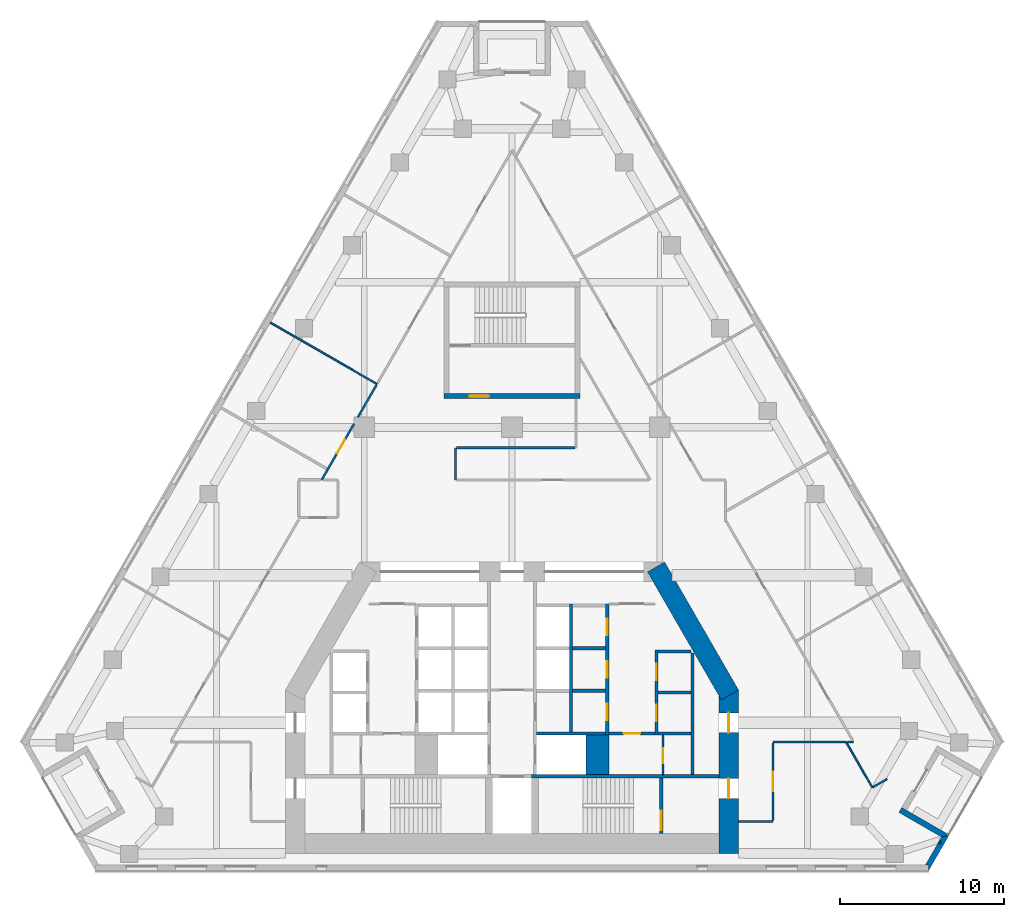
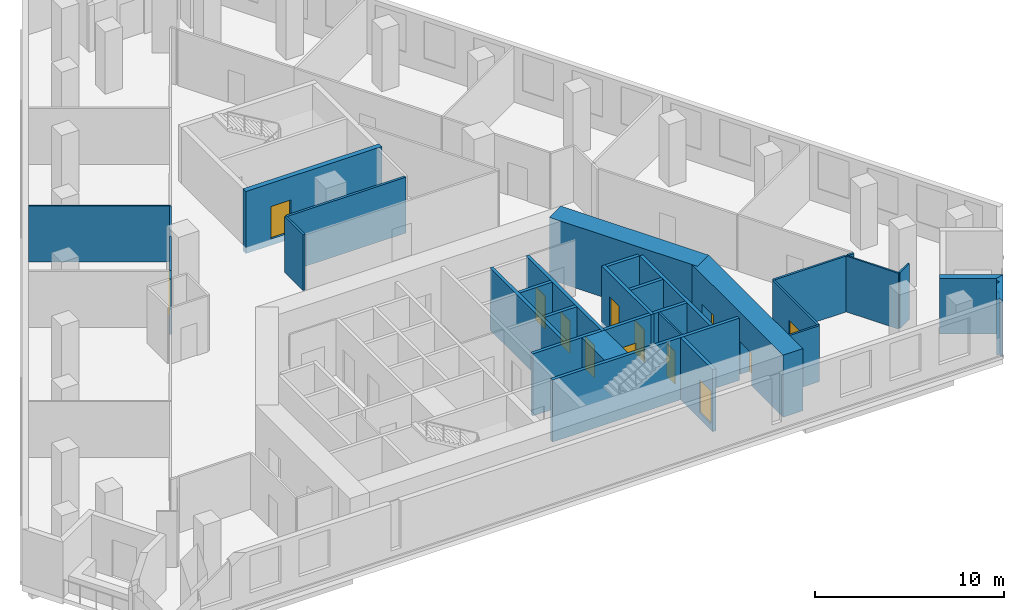
# One storey, part 6 of 10: 33 walls, 13 doors, 13 openings.
"""IFC4 building model written with IfcOpenShell, lengths in metres."""

from ifc_helpers import new_model, si_unit, direction, frame, frame_2d, origin, place, context, subcontext, project, spatial, polyline, rectangle, outline, extrude, material, layer, layer_set, type_object, element, fill, save


model = new_model("IFC4")

# Units and contexts
model_context = context("Model", 3, precision=1e-05, world=origin(), true_north=direction((0.0, 1.0)))
body_context = subcontext(model_context, "Body", "Model", "MODEL_VIEW")
ifc_project = project(units=[si_unit("LENGTHUNIT", "METRE"), si_unit("AREAUNIT", "SQUARE_METRE"), si_unit("VOLUMEUNIT", "CUBIC_METRE"), si_unit("PLANEANGLEUNIT", "RADIAN"), si_unit("MASSUNIT", "GRAM", prefix="KILO")], contexts=[model_context])

# Site, building, storey
site_placement = place(None, origin())
site = spatial("IfcSite", under=ifc_project, at=site_placement, CompositionType="ELEMENT")
building_placement = place(site_placement, origin())
building = spatial("IfcBuilding", under=site, at=building_placement, Name="Fogline Exchange Tower", CompositionType="ELEMENT")
storey_placement = place(building_placement, frame((0.0, 0.0, 120.10009765625)))
storey = spatial("IfcBuildingStorey", under=building, at=storey_placement, Name="L26", CompositionType="ELEMENT", Elevation=120.10009765625)

# Wall, opening, door
ifc_material_1 = material(Name="Blockwork partition", Category="masonry")
ifc_layer_1 = layer(ifc_material_1, 0.10009765625)
ifc_layer_set_1 = layer_set([ifc_layer_1], Name="CW10")
wall_type_1 = type_object("IfcWallType", Name="CW10", PredefinedType="PARTITIONING", material=ifc_layer_set_1)
wall_1_placement = place(storey_placement, frame((9.199951171875, 5.85009765625, 0.0), z_axis=(0.0, 0.0, 1.0), x_axis=(0.0, 1.0, 0.0)))
wall_1 = element("IfcWall", 1, at=wall_1_placement, inside=storey, type_object=wall_type_1, Name="WC partition", PredefinedType="PARTITIONING", context=body_context, shape_type="SweptSolid", body=[
    extrude(rectangle(XDim=2.39990234375, YDim=0.10009765625, at=frame_2d((1.199951171875, 0.0))), origin(), (0.0, 0.0, 1.0), 3.599853515625),
])
opening_1_placement = place(wall_1_placement, frame((0.699951171875, 0.0, 0.0)))
opening_1 = element("IfcOpeningElement", 2, at=opening_1_placement, cuts=wall_1, Name="Opening T08-C015", PredefinedType="OPENING", context=body_context, shape_type="SweptSolid", body=[
    extrude(rectangle(XDim=0.89990234375, YDim=2.10009765625, at=frame_2d((0.449951171875, 1.050048828125))), frame((0.0, 0.06005859375, 0.0), z_axis=(0.0, -1.0, 0.0), x_axis=(1.0, 0.0, 0.0)), (0.0, 0.0, 1.0), 0.1201171875),
])
ifc_material_2 = material(Name="Steel and timber fire door", Category="steel")
door_type_1 = type_object("IfcDoorType", Name="D-CS1", OperationType="SINGLE_SWING_RIGHT", PredefinedType="DOOR", material=ifc_material_2)
door_1_placement = place(opening_1_placement, frame((0.89990234375, 0.0, 0.0), z_axis=(0.0, 0.0, 1.0), x_axis=(-1.0, 0.0, 0.0)))
door_1 = element("IfcDoor", 3, at=door_1_placement, inside=storey, type_object=door_type_1, Name="Door to Cleaner's Store", OperationType="SINGLE_SWING_RIGHT", OverallHeight=2.10009765625, OverallWidth=0.89990234375, PredefinedType="DOOR", context=body_context, shape_type="SweptSolid", body=[
    extrude(rectangle(XDim=0.89990234375, YDim=2.10009765625, at=frame_2d((0.449951171875, 1.050048828125))), frame((0.0, 0.02490234375, 0.0), z_axis=(0.0, -1.0, 0.0), x_axis=(1.0, 0.0, 0.0)), (0.0, 0.0, 1.0), 0.050048828125),
])
fill(opening_1, door_1)

# Walls
ifc_material_3 = material(Name="Concrete C60", Category="concrete")
ifc_layer_2 = layer(ifc_material_3, 1.39990234375)
ifc_layer_set_2 = layer_set([ifc_layer_2], Name="CW140")
wall_type_2 = type_object("IfcWallType", Name="CW140", PredefinedType="SOLIDWALL", material=ifc_layer_set_2)
wall_2_placement = place(storey_placement, frame((5.199951171875, 5.85009765625, -0.400146484375), z_axis=(0.0, 0.0, 1.0), x_axis=(0.0, 1.0, 0.0)))
element("IfcWall", 4, at=wall_2_placement, inside=storey, type_object=wall_type_2, Name="Lift shaft block wall", PredefinedType="SOLIDWALL", context=body_context, shape_type="SweptSolid", body=[
    extrude(rectangle(XDim=2.39990234375, YDim=1.39990234375, at=frame_2d((1.199951171875, 0.0))), origin(), (0.0, 0.0, 1.0), 4.0),
])
ifc_material_4 = material(Name="Concrete C40", Category="concrete")
ifc_layer_3 = layer(ifc_material_4, 0.199951171875)
ifc_layer_set_3 = layer_set([ifc_layer_3], Name="CW20")
wall_type_3 = type_object("IfcWallType", Name="CW20", PredefinedType="SOLIDWALL", material=ifc_layer_set_3)
wall_3_placement = place(storey_placement, frame((11.0, 5.85009765625, 0.0), z_axis=(0.0, 0.0, 1.0), x_axis=(0.0, 1.0, 0.0)))
element("IfcWall", 5, at=wall_3_placement, inside=storey, type_object=wall_type_3, Name="Service room wall", PredefinedType="SOLIDWALL", context=body_context, shape_type="SweptSolid", body=[
    extrude(rectangle(XDim=7.39990234375, YDim=0.199951171875, at=frame_2d((3.699951171875, 0.0))), origin(), (0.0, 0.0, 1.0), 3.599853515625),
])

# Wall, opening, door
wall_4_placement = place(storey_placement, frame((5.89990234375, 8.35009765625, 0.0), z_axis=(0.0, 0.0, 1.0), x_axis=(1.0, 0.0, 0.0)))
wall_4 = element("IfcWall", 6, at=wall_4_placement, inside=storey, type_object=wall_type_3, Name="WC wall", PredefinedType="SOLIDWALL", context=body_context, shape_type="SweptSolid", body=[
    extrude(rectangle(XDim=2.800048828125, YDim=0.199951171875, at=frame_2d((1.39990234375, 0.0))), origin(), (0.0, 0.0, 1.0), 3.599853515625),
])
opening_2_placement = place(wall_4_placement, frame((0.89990234375, 0.0, 0.0)))
opening_2 = element("IfcOpeningElement", 7, at=opening_2_placement, cuts=wall_4, Name="Opening T08-C014", PredefinedType="OPENING", context=body_context, shape_type="SweptSolid", body=[
    extrude(rectangle(XDim=1.0, YDim=2.10009765625, at=frame_2d((0.5, 1.050048828125))), frame((0.0, 0.10986328125, 0.0), z_axis=(0.0, -1.0, 0.0), x_axis=(1.0, 0.0, 0.0)), (0.0, 0.0, 1.0), 0.219970703125),
])
door_type_2 = type_object("IfcDoorType", Name="D-WC1", OperationType="SINGLE_SWING_LEFT", PredefinedType="DOOR", material=ifc_material_2)
door_2_placement = place(opening_2_placement, frame((1.0, 0.0, 0.0), z_axis=(0.0, 0.0, 1.0), x_axis=(-1.0, 0.0, 0.0)))
door_2 = element("IfcDoor", 8, at=door_2_placement, inside=storey, type_object=door_type_2, Name="Door to Women's WC", OperationType="SINGLE_SWING_LEFT", OverallHeight=2.10009765625, OverallWidth=1.0, PredefinedType="DOOR", context=body_context, shape_type="SweptSolid", body=[
    extrude(rectangle(XDim=1.0, YDim=2.10009765625, at=frame_2d((0.5, 1.050048828125))), frame((0.0, 0.02490234375, 0.0), z_axis=(0.0, -1.0, 0.0), x_axis=(1.0, 0.0, 0.0)), (0.0, 0.0, 1.0), 0.050048828125),
])
fill(opening_2, door_2)

# Wall
ifc_layer_4 = layer(ifc_material_4, 0.199951171875)
ifc_layer_set_4 = layer_set([ifc_layer_4], Name="CW20R")
wall_type_4 = type_object("IfcWallType", Name="CW20R", PredefinedType="SOLIDWALL", material=ifc_layer_set_4)
wall_5_placement = place(storey_placement, frame((1.199951171875, 5.75, -0.400146484375), z_axis=(0.0, 0.0, 1.0), x_axis=(1.0, 0.0, 0.0)))
element("IfcWall", 9, at=wall_5_placement, inside=storey, type_object=wall_type_4, Name="Stair enclosure wall", PredefinedType="SOLIDWALL", context=body_context, shape_type="SweptSolid", body=[
    extrude(rectangle(XDim=11.400146484375, YDim=0.199951171875, at=frame_2d((5.7001953125, 0.0))), origin(), (0.0, 0.0, 1.0), 4.0),
])

# Wall, opening, door
wall_6_placement = place(storey_placement, frame((9.10009765625, 2.25, -0.400146484375), z_axis=(0.0, 0.0, 1.0), x_axis=(0.0, 1.0, 0.0)))
wall_6 = element("IfcWall", 10, at=wall_6_placement, inside=storey, type_object=wall_type_4, Name="Stair enclosure wall", PredefinedType="SOLIDWALL", context=body_context, shape_type="SweptSolid", body=[
    extrude(rectangle(XDim=3.39990234375, YDim=0.199951171875, at=frame_2d((1.699951171875, 0.0))), origin(), (0.0, 0.0, 1.0), 4.0),
])
opening_3_placement = place(wall_6_placement, frame((0.199951171875, 0.0, 0.39990234375)))
opening_3 = element("IfcOpeningElement", 11, at=opening_3_placement, cuts=wall_6, Name="Opening T08-C017", PredefinedType="OPENING", context=body_context, shape_type="SweptSolid", body=[
    extrude(rectangle(XDim=1.199951171875, YDim=2.10009765625, at=frame_2d((0.60009765625, 1.050048828125))), frame((0.0, 0.10986328125, 0.0), z_axis=(0.0, -1.0, 0.0), x_axis=(1.0, 0.0, 0.0)), (0.0, 0.0, 1.0), 0.219970703125),
])
door_type_3 = type_object("IfcDoorType", Name="D-ST1", OperationType="SINGLE_SWING_LEFT", PredefinedType="DOOR", material=ifc_material_2)
door_3_placement = place(opening_3_placement, origin())
door_3 = element("IfcDoor", 12, at=door_3_placement, inside=storey, type_object=door_type_3, Name="Stair door ST2", OperationType="SINGLE_SWING_LEFT", OverallHeight=2.10009765625, OverallWidth=1.199951171875, PredefinedType="DOOR", context=body_context, shape_type="SweptSolid", body=[
    extrude(rectangle(XDim=1.199951171875, YDim=2.10009765625, at=frame_2d((0.60009765625, 1.050048828125))), frame((0.0, 0.02490234375, 0.0), z_axis=(0.0, -1.0, 0.0), x_axis=(1.0, 0.0, 0.0)), (0.0, 0.0, 1.0), 0.050048828125),
])
fill(opening_3, door_3)

# Wall, openings, doors
ifc_layer_5 = layer(ifc_material_4, 0.199951171875)
ifc_layer_set_5 = layer_set([ifc_layer_5], Name="CW20S")
wall_type_5 = type_object("IfcWallType", Name="CW20S", PredefinedType="SOLIDWALL", material=ifc_layer_set_5)
wall_7_placement = place(storey_placement, frame((8.800048828125, 8.25, -0.400146484375), z_axis=(0.0, 0.0, 1.0), x_axis=(0.0, 1.0, 0.0)))
wall_7 = element("IfcWall", 13, at=wall_7_placement, inside=storey, type_object=wall_type_5, Name="Lift shaft wall", PredefinedType="SOLIDWALL", context=body_context, shape_type="SweptSolid", body=[
    extrude(rectangle(XDim=5.199951171875, YDim=0.199951171875, at=frame_2d((2.60009765625, 0.0))), origin(), (0.0, 0.0, 1.0), 4.0),
])
opening_4_placement = place(wall_7_placement, frame((0.85009765625, 0.0, 0.39990234375)))
opening_4 = element("IfcOpeningElement", 14, at=opening_4_placement, cuts=wall_7, Name="Opening T08-C001", PredefinedType="OPENING", context=body_context, shape_type="SweptSolid", body=[
    extrude(rectangle(XDim=1.0, YDim=2.10009765625, at=frame_2d((0.5, 1.050048828125))), frame((0.0, 0.10986328125, 0.0), z_axis=(0.0, -1.0, 0.0), x_axis=(1.0, 0.0, 0.0)), (0.0, 0.0, 1.0), 0.219970703125),
])
opening_5_placement = place(wall_7_placement, frame((3.35009765625, 0.0, 0.39990234375)))
opening_5 = element("IfcOpeningElement", 15, at=opening_5_placement, cuts=wall_7, Name="Opening T08-C002", PredefinedType="OPENING", context=body_context, shape_type="SweptSolid", body=[
    extrude(rectangle(XDim=1.0, YDim=2.10009765625, at=frame_2d((0.5, 1.050048828125))), frame((0.0, 0.10986328125, 0.0), z_axis=(0.0, -1.0, 0.0), x_axis=(1.0, 0.0, 0.0)), (0.0, 0.0, 1.0), 0.219970703125),
])
door_type_4 = type_object("IfcDoorType", Name="D-RM1", OperationType="SINGLE_SWING_LEFT", PredefinedType="DOOR", material=ifc_material_2)
door_4_placement = place(opening_4_placement, frame((1.0, 0.0, 0.0), z_axis=(0.0, 0.0, 1.0), x_axis=(-1.0, 0.0, 0.0)))
door_4 = element("IfcDoor", 16, at=door_4_placement, inside=storey, type_object=door_type_4, Name="Door to Records Store", OperationType="SINGLE_SWING_LEFT", OverallHeight=2.10009765625, OverallWidth=1.0, PredefinedType="DOOR", context=body_context, shape_type="SweptSolid", body=[
    extrude(rectangle(XDim=1.0, YDim=2.10009765625, at=frame_2d((0.5, 1.050048828125))), frame((0.0, 0.02490234375, 0.0), z_axis=(0.0, -1.0, 0.0), x_axis=(1.0, 0.0, 0.0)), (0.0, 0.0, 1.0), 0.050048828125),
])
fill(opening_4, door_4)
door_5_placement = place(opening_5_placement, frame((1.0, 0.0, 0.0), z_axis=(0.0, 0.0, 1.0), x_axis=(-1.0, 0.0, 0.0)))
door_5 = element("IfcDoor", 17, at=door_5_placement, inside=storey, type_object=door_type_4, Name="Door to Riser Room", OperationType="SINGLE_SWING_LEFT", OverallHeight=2.10009765625, OverallWidth=1.0, PredefinedType="DOOR", context=body_context, shape_type="SweptSolid", body=[
    extrude(rectangle(XDim=1.0, YDim=2.10009765625, at=frame_2d((0.5, 1.050048828125))), frame((0.0, 0.02490234375, 0.0), z_axis=(0.0, -1.0, 0.0), x_axis=(1.0, 0.0, 0.0)), (0.0, 0.0, 1.0), 0.050048828125),
])
fill(opening_5, door_5)

wall_8_placement = place(storey_placement, frame((5.800048828125, 8.25, -0.400146484375), z_axis=(0.0, 0.0, 1.0), x_axis=(0.0, 1.0, 0.0)))
wall_8 = element("IfcWall", 18, at=wall_8_placement, inside=storey, type_object=wall_type_5, Name="Lift shaft wall", PredefinedType="SOLIDWALL", context=body_context, shape_type="SweptSolid", body=[
    extrude(rectangle(XDim=8.0, YDim=0.199951171875, at=frame_2d((4.0, 0.0))), origin(), (0.0, 0.0, 1.0), 4.0),
])
opening_6_placement = place(wall_8_placement, frame((0.89990234375, 0.0, 0.39990234375)))
opening_6 = element("IfcOpeningElement", 19, at=opening_6_placement, cuts=wall_8, Name="Opening T08-C003", PredefinedType="OPENING", context=body_context, shape_type="SweptSolid", body=[
    extrude(rectangle(XDim=1.0, YDim=2.10009765625, at=frame_2d((0.5, 1.050048828125))), frame((0.0, 0.10986328125, 0.0), z_axis=(0.0, -1.0, 0.0), x_axis=(1.0, 0.0, 0.0)), (0.0, 0.0, 1.0), 0.219970703125),
])
opening_7_placement = place(wall_8_placement, frame((3.5, 0.0, 0.39990234375)))
opening_7 = element("IfcOpeningElement", 20, at=opening_7_placement, cuts=wall_8, Name="Opening T08-C004", PredefinedType="OPENING", context=body_context, shape_type="SweptSolid", body=[
    extrude(rectangle(XDim=1.0, YDim=2.10009765625, at=frame_2d((0.5, 1.050048828125))), frame((0.0, 0.10986328125, 0.0), z_axis=(0.0, -1.0, 0.0), x_axis=(1.0, 0.0, 0.0)), (0.0, 0.0, 1.0), 0.219970703125),
])
opening_8_placement = place(wall_8_placement, frame((6.10009765625, 0.0, 0.39990234375)))
opening_8 = element("IfcOpeningElement", 21, at=opening_8_placement, cuts=wall_8, Name="Opening T08-C005", PredefinedType="OPENING", context=body_context, shape_type="SweptSolid", body=[
    extrude(rectangle(XDim=1.0, YDim=2.10009765625, at=frame_2d((0.5, 1.050048828125))), frame((0.0, 0.10986328125, 0.0), z_axis=(0.0, -1.0, 0.0), x_axis=(1.0, 0.0, 0.0)), (0.0, 0.0, 1.0), 0.219970703125),
])
door_6_placement = place(opening_6_placement, origin())
door_6 = element("IfcDoor", 22, at=door_6_placement, inside=storey, type_object=door_type_4, Name="Door to Plant Room", OperationType="SINGLE_SWING_RIGHT", OverallHeight=2.10009765625, OverallWidth=1.0, PredefinedType="DOOR", context=body_context, shape_type="SweptSolid", body=[
    extrude(rectangle(XDim=1.0, YDim=2.10009765625, at=frame_2d((0.5, 1.050048828125))), frame((0.0, 0.02490234375, 0.0), z_axis=(0.0, -1.0, 0.0), x_axis=(1.0, 0.0, 0.0)), (0.0, 0.0, 1.0), 0.050048828125),
])
fill(opening_6, door_6)
door_7_placement = place(opening_7_placement, origin())
door_7 = element("IfcDoor", 23, at=door_7_placement, inside=storey, type_object=door_type_4, Name="Door to Cable Store", OperationType="SINGLE_SWING_LEFT", OverallHeight=2.10009765625, OverallWidth=1.0, PredefinedType="DOOR", context=body_context, shape_type="SweptSolid", body=[
    extrude(rectangle(XDim=1.0, YDim=2.10009765625, at=frame_2d((0.5, 1.050048828125))), frame((0.0, 0.02490234375, 0.0), z_axis=(0.0, -1.0, 0.0), x_axis=(1.0, 0.0, 0.0)), (0.0, 0.0, 1.0), 0.050048828125),
])
fill(opening_7, door_7)
door_8_placement = place(opening_8_placement, origin())
door_8 = element("IfcDoor", 24, at=door_8_placement, inside=storey, type_object=door_type_4, Name="Door to Server Room", OperationType="SINGLE_SWING_LEFT", OverallHeight=2.10009765625, OverallWidth=1.0, PredefinedType="DOOR", context=body_context, shape_type="SweptSolid", body=[
    extrude(rectangle(XDim=1.0, YDim=2.10009765625, at=frame_2d((0.5, 1.050048828125))), frame((0.0, 0.02490234375, 0.0), z_axis=(0.0, -1.0, 0.0), x_axis=(1.0, 0.0, 0.0)), (0.0, 0.0, 1.0), 0.050048828125),
])
fill(opening_8, door_8)

# Walls
wall_9_placement = place(storey_placement, frame((3.60009765625, 8.449951171875, -0.400146484375), z_axis=(0.0, 0.0, 1.0), x_axis=(0.0, 1.0, 0.0)))
element("IfcWall", 25, at=wall_9_placement, inside=storey, type_object=wall_type_5, Name="Lift shaft wall", PredefinedType="SOLIDWALL", context=body_context, shape_type="SweptSolid", body=[
    extrude(rectangle(XDim=7.800048828125, YDim=0.199951171875, at=frame_2d((3.89990234375, 0.0))), origin(), (0.0, 0.0, 1.0), 4.0),
])
wall_10_placement = place(storey_placement, frame((8.89990234375, 8.35009765625, -0.400146484375), z_axis=(0.0, 0.0, 1.0), x_axis=(1.0, 0.0, 0.0)))
element("IfcWall", 26, at=wall_10_placement, inside=storey, type_object=wall_type_5, Name="Lift shaft wall", PredefinedType="SOLIDWALL", context=body_context, shape_type="SweptSolid", body=[
    extrude(rectangle(XDim=2.0, YDim=0.199951171875, at=frame_2d((1.0, 0.0))), origin(), (0.0, 0.0, 1.0), 4.0),
])
wall_11_placement = place(storey_placement, frame((1.5, 8.35009765625, -0.400146484375), z_axis=(0.0, 0.0, 1.0), x_axis=(1.0, 0.0, 0.0)))
element("IfcWall", 27, at=wall_11_placement, inside=storey, type_object=wall_type_5, Name="Lift shaft wall", PredefinedType="SOLIDWALL", context=body_context, shape_type="SweptSolid", body=[
    extrude(rectangle(XDim=4.199951171875, YDim=0.199951171875, at=frame_2d((2.10009765625, 0.0))), origin(), (0.0, 0.0, 1.0), 4.0),
])
for number, where, z_axis, x_axis, name in (
    (28, (8.89990234375, 10.85009765625, -0.400146484375), (0.0, 0.0, 1.0), (1.0, 0.0, 0.0), "Lift shaft wall"),
    (29, (8.89990234375, 13.35009765625, -0.400146484375), (0.0, 0.0, 1.0), (1.0, 0.0, 0.0), "Lift shaft wall"),
    (30, (3.699951171875, 10.949951171875, -0.400146484375), (0.0, 0.0, 1.0), (1.0, 0.0, 0.0), "Lift shaft wall"),
    (31, (3.699951171875, 13.550048828125, -0.400146484375), (0.0, 0.0, 1.0), (1.0, 0.0, 0.0), "Lift shaft wall"),
):
    element("IfcWall", number, at=place(storey_placement, frame(where, z_axis=z_axis, x_axis=x_axis)), inside=storey, type_object=wall_type_5, Name=name, PredefinedType="SOLIDWALL", context=body_context, shape_type="SweptSolid", body=[
        extrude(rectangle(XDim=2.0, YDim=0.199951171875, at=frame_2d((1.0, 0.0))), origin(), (0.0, 0.0, 1.0), 4.0),
    ])

# Wall, opening, door
ifc_layer_6 = layer(ifc_material_4, 0.300048828125)
ifc_layer_set_6 = layer_set([ifc_layer_6], Name="CW30")
wall_type_6 = type_object("IfcWallType", Name="CW30", PredefinedType="SOLIDWALL", material=ifc_layer_set_6)
wall_12_placement = place(storey_placement, frame((-4.14990234375, 28.906982421875, -0.400146484375), z_axis=(0.0, 0.0, 1.0), x_axis=(1.0, 0.0, 0.0)))
wall_12 = element("IfcWall", 32, at=wall_12_placement, inside=storey, type_object=wall_type_6, Name="Stair enclosure wall ST3", PredefinedType="SOLIDWALL", context=body_context, shape_type="SweptSolid", body=[
    extrude(rectangle(XDim=8.2998046875, YDim=0.300048828125, at=frame_2d((4.14990234375, 0.0))), origin(), (0.0, 0.0, 1.0), 4.0),
])
opening_9_placement = place(wall_12_placement, frame((1.550048828125, 0.0, 0.39990234375)))
opening_9 = element("IfcOpeningElement", 33, at=opening_9_placement, cuts=wall_12, Name="Opening T08-C023", PredefinedType="OPENING", context=body_context, shape_type="SweptSolid", body=[
    extrude(rectangle(XDim=1.199951171875, YDim=2.10009765625, at=frame_2d((0.60009765625, 1.050048828125))), frame((0.0, 0.16015625, 0.0), z_axis=(0.0, -1.0, 0.0), x_axis=(1.0, 0.0, 0.0)), (0.0, 0.0, 1.0), 0.320068359375),
])
door_type_5 = type_object("IfcDoorType", Name="D-FR1", OperationType="SINGLE_SWING_RIGHT", PredefinedType="DOOR", material=ifc_material_2)
door_9_placement = place(opening_9_placement, origin())
door_9 = element("IfcDoor", 34, at=door_9_placement, inside=storey, type_object=door_type_5, Name="Front room door ST3", OperationType="SINGLE_SWING_LEFT", OverallHeight=2.10009765625, OverallWidth=1.199951171875, PredefinedType="DOOR", context=body_context, shape_type="SweptSolid", body=[
    extrude(rectangle(XDim=1.199951171875, YDim=2.10009765625, at=frame_2d((0.60009765625, 1.050048828125))), frame((0.0, 0.02490234375, 0.0), z_axis=(0.0, -1.0, 0.0), x_axis=(1.0, 0.0, 0.0)), (0.0, 0.0, 1.0), 0.050048828125),
])
fill(opening_9, door_9)

# Walls
ifc_material_5 = material(Name="Brick masonry", Category="masonry")
ifc_layer_7 = layer(ifc_material_5, 0.340087890625)
ifc_layer_set_7 = layer_set([ifc_layer_7], Name="FW1")
wall_type_7 = type_object("IfcWallType", Name="FW1", PredefinedType="SOLIDWALL", material=ifc_layer_set_7)
wall_13_placement = place(storey_placement, origin())
element("IfcWall", 35, at=wall_13_placement, inside=storey, type_object=wall_type_7, Name="Brick wall L26 SE-c1", PredefinedType="SOLIDWALL", context=body_context, shape_type="SweptSolid", body=[
    extrude(outline(polyline([(26.083984375, 1.877685546875), (26.145751953125, 1.682861328125), (25.9326171875, 1.615234375), (26.083984375, 1.877685546875)])), origin(), (0.0, 0.0, 1.0), 3.0),
])
wall_14_placement = place(storey_placement, origin())
element("IfcWall", 36, at=wall_14_placement, inside=storey, type_object=wall_type_7, Name="Brick wall L26 SE-c1", PredefinedType="SOLIDWALL", context=body_context, shape_type="SweptSolid", body=[
    extrude(outline(polyline([(25.393310546875, -0.001220703125), (25.392578125, -0.0009765625), (25.392578125, 0.33935546875), (25.196044921875, 0.33935546875), (25.9326171875, 1.615234375), (26.145751953125, 1.682861328125), (26.083984375, 1.877685546875), (26.178466796875, 2.041015625), (26.64404296875, 2.166015625), (26.644287109375, 2.165771484375), (25.393310546875, -0.001220703125)])), origin(), (0.0, 0.0, 1.0), 3.599853515625),
])
wall_15_placement = place(storey_placement, origin())
element("IfcWall", 37, at=wall_15_placement, inside=storey, type_object=wall_type_7, Name="Brick wall L26 SE-s1", PredefinedType="SOLIDWALL", context=body_context, shape_type="SweptSolid", body=[
    extrude(outline(polyline([(23.579833984375, 3.540283203125), (23.75048828125, 3.8359375), (24.04541015625, 3.66552734375), (26.64453125, 2.1650390625), (26.64453125, 2.164794921875), (26.1787109375, 2.0400390625), (23.579833984375, 3.540283203125)])), origin(), (0.0, 0.0, 1.0), 3.599853515625),
])
ifc_material_6 = material(Name="Plasterboard partition, 2 layers each side on steel studs", Category="steel")
ifc_layer_8 = layer(ifc_material_6, 0.10009765625)
ifc_layer_set_8 = layer_set([ifc_layer_8], Name="PW1")
wall_type_8 = type_object("IfcWallType", Name="PW1", PredefinedType="PARTITIONING", material=ifc_layer_set_8)
wall_16_placement = place(storey_placement, frame((-8.2265625, 29.64208984375, 0.0), z_axis=(0.0, 0.0, 1.0), x_axis=(-0.866022959057, 0.500004234368, 0.0)))
element("IfcWall", 38, at=wall_16_placement, inside=storey, type_object=wall_type_8, Name="wall-L26-W040", PredefinedType="PARTITIONING", context=body_context, shape_type="SweptSolid", body=[
    extrude(rectangle(XDim=7.5, YDim=0.10009765625, at=frame_2d((3.75, 0.0))), origin(), (0.0, 0.0, 1.0), 3.599853515625),
])
wall_17_placement = place(storey_placement, frame((20.35205078125, 7.840087890625, 0.0), z_axis=(0.0, 0.0, 1.0), x_axis=(0.499981246758, -0.866036230703, 0.0)))
element("IfcWall", 39, at=wall_17_placement, inside=storey, type_object=wall_type_8, Name="wall-L26-W047", PredefinedType="PARTITIONING", context=body_context, shape_type="SweptSolid", body=[
    extrude(rectangle(XDim=3.2119140625, YDim=0.10009765625, at=frame_2d((1.60595703125, 0.0))), origin(), (0.0, 0.0, 1.0), 3.599853515625),
])
wall_18_placement = place(storey_placement, frame((22.00146484375, 5.08349609375, 0.0), z_axis=(0.0, 0.0, 1.0), x_axis=(0.866069217599, 0.499924104568, 0.0)))
element("IfcWall", 40, at=wall_18_placement, inside=storey, type_object=wall_type_8, Name="wall-L26-W048", PredefinedType="PARTITIONING", context=body_context, shape_type="SweptSolid", body=[
    extrude(rectangle(XDim=0.978271484375, YDim=0.10009765625, at=frame_2d((0.4892578125, 0.0))), origin(), (0.0, 0.0, 1.0), 3.599853515625),
])

# Wall, opening, door
ifc_material_7 = material(Name="Plasterboard corridor partition with mineral wool, 2 layers each side")
ifc_layer_9 = layer(ifc_material_7, 0.125)
ifc_layer_set_9 = layer_set([ifc_layer_9], Name="PW2")
wall_type_9 = type_object("IfcWallType", Name="PW2", PredefinedType="PARTITIONING", material=ifc_layer_set_9)
wall_19_placement = place(storey_placement, frame((15.89990234375, 7.777587890625, 0.0), z_axis=(0.0, 0.0, 1.0), x_axis=(0.0, -1.0, 0.0)))
wall_19 = element("IfcWall", 41, at=wall_19_placement, inside=storey, type_object=wall_type_9, Name="wall-L26-W001", PredefinedType="PARTITIONING", context=body_context, shape_type="SweptSolid", body=[
    extrude(rectangle(XDim=4.715087890625, YDim=0.125, at=frame_2d((2.357421875, 0.0))), origin(), (0.0, 0.0, 1.0), 3.599853515625),
])
opening_10_placement = place(wall_19_placement, frame((1.757568359375, 0.0, 0.0)))
opening_10 = element("IfcOpeningElement", 42, at=opening_10_placement, cuts=wall_19, Name="Opening T08-D001", PredefinedType="OPENING", context=body_context, shape_type="SweptSolid", body=[
    extrude(rectangle(XDim=1.199951171875, YDim=2.10009765625, at=frame_2d((0.60009765625, 1.050048828125))), frame((0.0, 0.072509765625, 0.0), z_axis=(0.0, -1.0, 0.0), x_axis=(1.0, 0.0, 0.0)), (0.0, 0.0, 1.0), 0.14501953125),
])
ifc_material_8 = material(Name="Fire-rated glazed door leaf with steel frame", Category="steel")
door_type_6 = type_object("IfcDoorType", Name="D5", OperationType="SINGLE_SWING_LEFT", PredefinedType="DOOR", material=ifc_material_8)
door_10_placement = place(opening_10_placement, origin())
door_10 = element("IfcDoor", 43, at=door_10_placement, inside=storey, type_object=door_type_6, Name="door-L26-D001", OperationType="SINGLE_SWING_LEFT", OverallHeight=2.10009765625, OverallWidth=1.199951171875, PredefinedType="DOOR", context=body_context, shape_type="SweptSolid", body=[
    extrude(rectangle(XDim=1.199951171875, YDim=2.10009765625, at=frame_2d((0.60009765625, 1.050048828125))), frame((0.0, 0.02490234375, 0.0), z_axis=(0.0, -1.0, 0.0), x_axis=(1.0, 0.0, 0.0)), (0.0, 0.0, 1.0), 0.050048828125),
])
fill(opening_10, door_10)

# Wall
wall_20_placement = place(storey_placement, frame((15.89990234375, 3.0, 0.0), z_axis=(0.0, 0.0, 1.0), x_axis=(-1.0, 0.0, 0.0)))
element("IfcWall", 44, at=wall_20_placement, inside=storey, type_object=wall_type_9, Name="wall-L26-W002", PredefinedType="PARTITIONING", context=body_context, shape_type="SweptSolid", body=[
    extrude(rectangle(XDim=2.099853515625, YDim=0.125, at=frame_2d((1.0498046875, 0.0))), origin(), (0.0, 0.0, 1.0), 3.599853515625),
])

# Wall, opening, door
wall_21_placement = place(storey_placement, frame((-11.2265625, 24.44580078125, 0.0), z_axis=(0.0, 0.0, 1.0), x_axis=(0.499975356835, 0.866039631055, 0.0)))
wall_21 = element("IfcWall", 45, at=wall_21_placement, inside=storey, type_object=wall_type_9, Name="wall-L26-W019", PredefinedType="PARTITIONING", context=body_context, shape_type="SweptSolid", body=[
    extrude(rectangle(XDim=3.203369140625, YDim=0.125, at=frame_2d((1.6015625, 0.0))), origin(), (0.0, 0.0, 1.0), 3.599853515625),
])
opening_11_placement = place(wall_21_placement, frame((1.1015625, 0.0, 0.0)))
opening_11 = element("IfcOpeningElement", 46, at=opening_11_placement, cuts=wall_21, Name="Opening T08-D010", PredefinedType="OPENING", context=body_context, shape_type="SweptSolid", body=[
    extrude(rectangle(XDim=1.0, YDim=2.10009765625, at=frame_2d((0.5, 1.050048828125))), frame((0.0, 0.072509765625, 0.0), z_axis=(0.0, -1.0, 0.0), x_axis=(1.0, 0.0, 0.0)), (0.0, 0.0, 1.0), 0.14501953125),
])
ifc_material_9 = material(Name="Fire-rated timber door leaf with steel frame", Category="steel")
door_type_7 = type_object("IfcDoorType", Name="D3", OperationType="SINGLE_SWING_LEFT", PredefinedType="DOOR", material=ifc_material_9)
door_11_placement = place(opening_11_placement, origin())
door_11 = element("IfcDoor", 47, at=door_11_placement, inside=storey, type_object=door_type_7, Name="door-L26-D010", OperationType="SINGLE_SWING_LEFT", OverallHeight=2.10009765625, OverallWidth=1.0, PredefinedType="DOOR", context=body_context, shape_type="SweptSolid", body=[
    extrude(rectangle(XDim=1.0, YDim=2.10009765625, at=frame_2d((0.5, 1.050048828125))), frame((0.0, 0.02490234375, 0.0), z_axis=(0.0, -1.0, 0.0), x_axis=(1.0, 0.0, 0.0)), (0.0, 0.0, 1.0), 0.050048828125),
])
fill(opening_11, door_11)

# Walls
wall_22_placement = place(storey_placement, frame((-9.39111328125, 27.625, 0.0), z_axis=(0.0, 0.0, 1.0), x_axis=(0.500022320372, 0.866012516728, 0.0)))
element("IfcWall", 48, at=wall_22_placement, inside=storey, type_object=wall_type_9, Name="wall-L26-W020", PredefinedType="PARTITIONING", context=body_context, shape_type="SweptSolid", body=[
    extrude(rectangle(XDim=2.27880859375, YDim=0.125, at=frame_2d((1.139404296875, 0.0))), origin(), (0.0, 0.0, 1.0), 3.599853515625),
])
wall_23_placement = place(storey_placement, frame((-11.599609375, 23.800048828125, 0.0), z_axis=(0.0, 0.0, 1.0), x_axis=(0.500223055231, 0.865896584481, 0.0)))
element("IfcWall", 49, at=wall_23_placement, inside=storey, type_object=wall_type_9, Name="wall-L26-W022", PredefinedType="PARTITIONING", context=body_context, shape_type="SweptSolid", body=[
    extrude(rectangle(XDim=0.745849609375, YDim=0.125, at=frame_2d((0.373046875, 0.0))), origin(), (0.0, 0.0, 1.0), 3.599853515625),
])
wall_24_placement = place(storey_placement, frame((20.308349609375, 7.840087890625, 0.0), z_axis=(0.0, 0.0, 1.0), x_axis=(-1.0, 0.0, 0.0)))
element("IfcWall", 50, at=wall_24_placement, inside=storey, type_object=wall_type_9, Name="wall-L26-W029", PredefinedType="PARTITIONING", context=body_context, shape_type="SweptSolid", body=[
    extrude(rectangle(XDim=4.408447265625, YDim=0.125, at=frame_2d((2.2041015625, 0.0))), origin(), (0.0, 0.0, 1.0), 3.599853515625),
])
wall_25_placement = place(storey_placement, frame((20.81396484375, 7.840087890625, 0.0), z_axis=(0.0, 0.0, 1.0), x_axis=(-1.0, 0.0, 0.0)))
element("IfcWall", 51, at=wall_25_placement, inside=storey, type_object=wall_type_9, Name="wall-L26-W031", PredefinedType="PARTITIONING", context=body_context, shape_type="SweptSolid", body=[
    extrude(rectangle(XDim=0.36767578125, YDim=0.125, at=frame_2d((0.183837890625, 0.0))), origin(), (0.0, 0.0, 1.0), 3.599853515625),
])
wall_26_placement = place(storey_placement, frame((-3.449951171875, 25.757080078125, 0.0), z_axis=(0.0, 0.0, 1.0), x_axis=(0.0, -1.0, 0.0)))
element("IfcWall", 52, at=wall_26_placement, inside=storey, type_object=wall_type_9, Name="wall-L26-W033", PredefinedType="PARTITIONING", context=body_context, shape_type="SweptSolid", body=[
    extrude(rectangle(XDim=1.95703125, YDim=0.125, at=frame_2d((0.978515625, 0.0))), origin(), (0.0, 0.0, 1.0), 3.599853515625),
])
ifc_material_10 = material(Name="Plasterboard stair lobby partition, 3 layers each side on steel studs", Category="steel")
ifc_layer_10 = layer(ifc_material_10, 0.14990234375)
ifc_layer_set_10 = layer_set([ifc_layer_10], Name="PW4")
wall_type_10 = type_object("IfcWallType", Name="PW4", PredefinedType="PARTITIONING", material=ifc_layer_set_10)
wall_27_placement = place(storey_placement, frame((3.824951171875, 25.757080078125, 0.0), z_axis=(0.0, 0.0, 1.0), x_axis=(-1.0, 0.0, 0.0)))
element("IfcWall", 53, at=wall_27_placement, inside=storey, type_object=wall_type_10, Name="wall-L26-W024", PredefinedType="PARTITIONING", context=body_context, shape_type="SweptSolid", body=[
    extrude(rectangle(XDim=7.21240234375, YDim=0.14990234375, at=frame_2d((3.606201171875, 0.0))), origin(), (0.0, 0.0, 1.0), 3.599853515625),
])

# Wall, openings, doors
ifc_layer_11 = layer(ifc_material_3, 1.199951171875)
ifc_layer_set_11 = layer_set([ifc_layer_11], Name="SW02")
wall_type_11 = type_object("IfcWallType", Name="SW02", PredefinedType="SHEAR", material=ifc_layer_set_11)
wall_28_placement = place(storey_placement, frame((13.199951171875, 1.050048828125, 0.0), z_axis=(0.0, 0.0, 1.0), x_axis=(0.0, 1.0, 0.0)))
wall_28 = element("IfcWall", 54, at=wall_28_placement, inside=storey, type_object=wall_type_11, Name="L26-W902", PredefinedType="SHEAR", context=body_context, shape_type="SweptSolid", body=[
    extrude(rectangle(XDim=9.948974609375, YDim=1.199951171875, at=frame_2d((4.974609375, 0.0))), origin(), (0.0, 0.0, 1.0), 4.0),
])
opening_12_placement = place(wall_28_placement, frame((3.35009765625, 0.0, 0.0)))
opening_12 = element("IfcOpeningElement", 55, at=opening_12_placement, cuts=wall_28, Name="Opening T08-C016", PredefinedType="OPENING", context=body_context, shape_type="SweptSolid", body=[
    extrude(rectangle(XDim=1.199951171875, YDim=2.10009765625, at=frame_2d((0.60009765625, 1.050048828125))), frame((0.0, 0.60986328125, 0.0), z_axis=(0.0, -1.0, 0.0), x_axis=(1.0, 0.0, 0.0)), (0.0, 0.0, 1.0), 1.219970703125),
])
opening_13_placement = place(wall_28_placement, frame((7.35009765625, 0.0, 0.0)))
opening_13 = element("IfcOpeningElement", 56, at=opening_13_placement, cuts=wall_28, Name="Opening T08-C018", PredefinedType="OPENING", context=body_context, shape_type="SweptSolid", body=[
    extrude(rectangle(XDim=1.199951171875, YDim=2.10009765625, at=frame_2d((0.60009765625, 1.050048828125))), frame((0.0, 0.60986328125, 0.0), z_axis=(0.0, -1.0, 0.0), x_axis=(1.0, 0.0, 0.0)), (0.0, 0.0, 1.0), 1.219970703125),
])
door_12_placement = place(opening_12_placement, origin())
door_12 = element("IfcDoor", 57, at=door_12_placement, inside=storey, type_object=door_type_5, Name="Front room door ST2", OperationType="SINGLE_SWING_RIGHT", OverallHeight=2.10009765625, OverallWidth=1.199951171875, PredefinedType="DOOR", context=body_context, shape_type="SweptSolid", body=[
    extrude(rectangle(XDim=1.199951171875, YDim=2.10009765625, at=frame_2d((0.60009765625, 1.050048828125))), frame((0.0, 0.02490234375, 0.0), z_axis=(0.0, -1.0, 0.0), x_axis=(1.0, 0.0, 0.0)), (0.0, 0.0, 1.0), 0.050048828125),
])
fill(opening_12, door_12)
door_type_8 = type_object("IfcDoorType", Name="D-SV1", OperationType="SINGLE_SWING_LEFT", PredefinedType="DOOR", material=ifc_material_2)
door_13_placement = place(opening_13_placement, origin())
door_13 = element("IfcDoor", 58, at=door_13_placement, inside=storey, type_object=door_type_8, Name="Service door E", OperationType="SINGLE_SWING_RIGHT", OverallHeight=2.10009765625, OverallWidth=1.199951171875, PredefinedType="DOOR", context=body_context, shape_type="SweptSolid", body=[
    extrude(rectangle(XDim=1.199951171875, YDim=2.10009765625, at=frame_2d((0.60009765625, 1.050048828125))), frame((0.0, 0.02490234375, 0.0), z_axis=(0.0, -1.0, 0.0), x_axis=(1.0, 0.0, 0.0)), (0.0, 0.0, 1.0), 0.050048828125),
])
fill(opening_13, door_13)

# Wall
wall_29_placement = place(storey_placement, frame((13.280517578125, 10.698974609375, 0.0), z_axis=(0.0, 0.0, 1.0), x_axis=(-0.499998513025, 0.866026262288, 0.0)))
element("IfcWall", 59, at=wall_29_placement, inside=storey, type_object=wall_type_11, Name="L26-W903", PredefinedType="SHEAR", context=body_context, shape_type="SweptSolid", body=[
    extrude(rectangle(XDim=9.0078125, YDim=1.199951171875, at=frame_2d((4.50390625, 0.0))), origin(), (0.0, 0.0, 1.0), 4.0),
])

save(model, "model.ifc")
